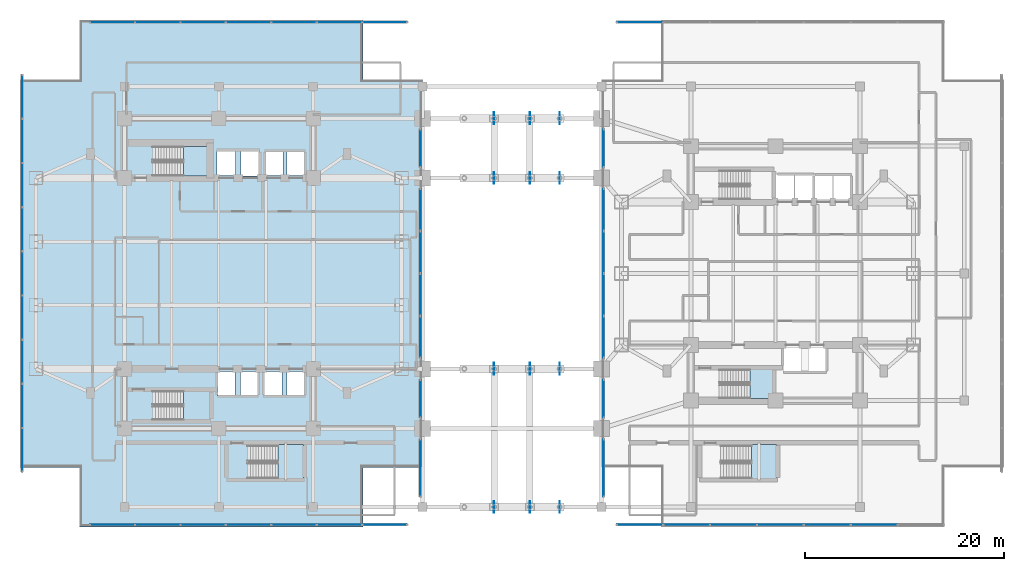
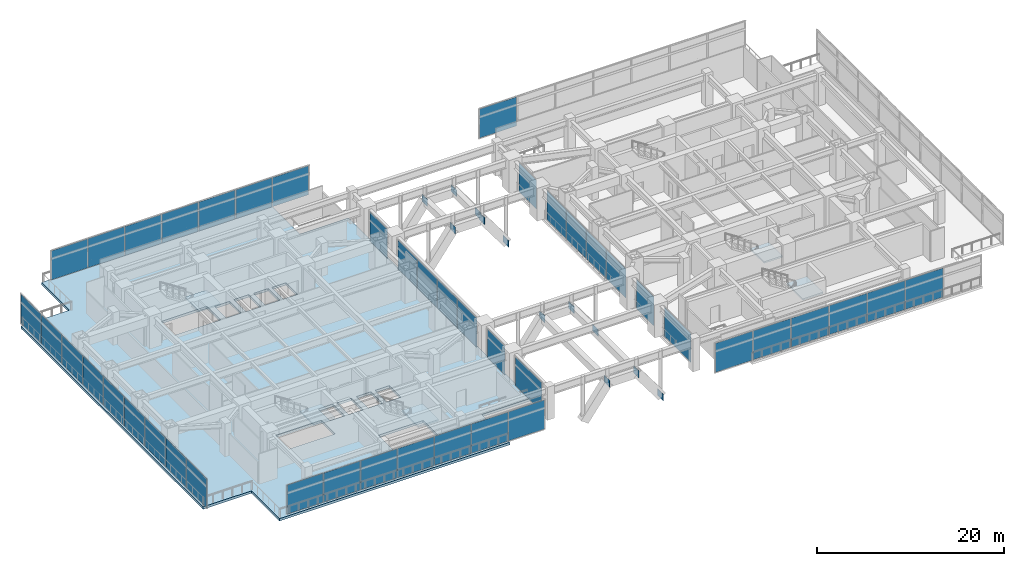
# One storey, part 13 of 30: 56 plates, 6 slabs, 18 elements without a shape of their own.
"""IFC4 building model written with IfcOpenShell, lengths in metres."""

from ifc_helpers import new_model, si_unit, direction, frame, origin, origin_2d, place, context, subcontext, project, spatial, polyline, rectangle, outline, extrude, material, layer, layer_set, type_object, element, aggregate, save


model = new_model("IFC4")

# Units and contexts
model_context = context("Model", 3, precision=1e-05, world=origin(), true_north=direction((0.0, 1.0)))
body_context = subcontext(model_context, "Body", "Model", "MODEL_VIEW")
ifc_project = project(units=[si_unit("LENGTHUNIT", "METRE"), si_unit("AREAUNIT", "SQUARE_METRE"), si_unit("VOLUMEUNIT", "CUBIC_METRE"), si_unit("PLANEANGLEUNIT", "RADIAN"), si_unit("MASSUNIT", "GRAM", prefix="KILO")], contexts=[model_context])

# Site, building, storey
site_placement = place(None, origin())
site = spatial("IfcSite", under=ifc_project, at=site_placement, CompositionType="ELEMENT")
building_placement = place(site_placement, origin())
building = spatial("IfcBuilding", under=site, at=building_placement, Name="Mirazonda Arch Towers", CompositionType="ELEMENT")
storey_placement = place(building_placement, frame((0.0, 0.0, 9.5)))
storey = spatial("IfcBuildingStorey", under=building, at=storey_placement, Name="L02", CompositionType="ELEMENT", Elevation=9.5)

# Curtain wall, plate
ifc_material_1 = material(Name="Anodised Aluminium and Low-E Glass", Category="aluminium")
curtain_wall_type_1 = type_object("IfcCurtainWallType", Name="CW-ARCH-GLAZE", PredefinedType="NOTDEFINED", material=ifc_material_1)
curtain_wall_1_placement = place(storey_placement, origin())
curtain_wall_1 = element("IfcCurtainWall", 1, at=curtain_wall_1_placement, inside=storey, type_object=curtain_wall_type_1, Name="L02 Curtain Wall CW-L02-AW-S1", PredefinedType="NOTDEFINED")
ifc_material_2 = material(Name="Insulated Low-E Solar Glass", Category="glass")
ifc_layer_1 = layer(ifc_material_2, 0.031982421875, Name="PAN-CW-ARCH-GLAZE")
ifc_layer_set_1 = layer_set([ifc_layer_1], Name="Insulated Low-E Solar Glass")
plate_type_1 = type_object("IfcPlateType", Name="PAN-CW-ARCH-GLAZE", PredefinedType="CURTAIN_PANEL", material=ifc_layer_set_1)
plate_1_placement = place(storey_placement, frame((40.780029296875, 40.60009765625, 0.08984375), z_axis=(0.0, 0.0, 1.0), x_axis=(0.0, -1.0, 0.0)))
plate_1 = element("IfcPlate", 2, at=plate_1_placement, type_object=plate_type_1, Name="CW-106 panel 1.1", PredefinedType="CURTAIN_PANEL", context=body_context, shape_type="SweptSolid", body=[
    extrude(rectangle(XDim=3.739990234375, YDim=0.031982421875, at=origin_2d()), origin(), (0.0, 0.0, 1.0), 3.780029296875),
])
aggregate(curtain_wall_1, [plate_1])

# Curtain wall, plates
curtain_wall_2_placement = place(storey_placement, origin())
curtain_wall_2 = element("IfcCurtainWall", 3, at=curtain_wall_2_placement, inside=storey, type_object=curtain_wall_type_1, Name="L02 Curtain Wall CW-L02-AW-S2", PredefinedType="NOTDEFINED")
plate_2_placement = place(storey_placement, frame((40.780029296875, 34.3974609375, 0.08984375), z_axis=(0.0, 0.0, 1.0), x_axis=(0.0, -1.0, 0.0)))
plate_2 = element("IfcPlate", 4, at=plate_2_placement, type_object=plate_type_1, Name="CW-106 panel 1.1", PredefinedType="CURTAIN_PANEL", context=body_context, shape_type="SweptSolid", body=[
    extrude(rectangle(XDim=4.14501953125, YDim=0.031982421875, at=origin_2d()), origin(), (0.0, 0.0, 1.0), 3.780029296875),
])
plate_3_placement = place(storey_placement, frame((40.780029296875, 30.139892578125, 0.08984375), z_axis=(0.0, 0.0, 1.0), x_axis=(0.0, -1.0, 0.0)))
plate_3 = element("IfcPlate", 5, at=plate_3_placement, type_object=plate_type_1, Name="CW-106 panel 2.1", PredefinedType="CURTAIN_PANEL", context=body_context, shape_type="SweptSolid", body=[
    extrude(rectangle(XDim=4.18994140625, YDim=0.031982421875, at=origin_2d()), origin(), (0.0, 0.0, 1.0), 3.780029296875),
])
plate_4_placement = place(storey_placement, frame((40.780029296875, 25.860107421875, 0.08984375), z_axis=(0.0, 0.0, 1.0), x_axis=(0.0, -1.0, 0.0)))
plate_4 = element("IfcPlate", 6, at=plate_4_placement, type_object=plate_type_1, Name="CW-106 panel 3.1", PredefinedType="CURTAIN_PANEL", context=body_context, shape_type="SweptSolid", body=[
    extrude(rectangle(XDim=4.18994140625, YDim=0.031982421875, at=origin_2d()), origin(), (0.0, 0.0, 1.0), 3.780029296875),
])
plate_5_placement = place(storey_placement, frame((40.780029296875, 21.6025390625, 0.08984375), z_axis=(0.0, 0.0, 1.0), x_axis=(0.0, -1.0, 0.0)))
plate_5 = element("IfcPlate", 7, at=plate_5_placement, type_object=plate_type_1, Name="CW-106 panel 4.1", PredefinedType="CURTAIN_PANEL", context=body_context, shape_type="SweptSolid", body=[
    extrude(rectangle(XDim=4.14501953125, YDim=0.031982421875, at=origin_2d()), origin(), (0.0, 0.0, 1.0), 3.780029296875),
])
aggregate(curtain_wall_2, [plate_2, plate_3, plate_4, plate_5])

# Curtain wall, plate
curtain_wall_3_placement = place(storey_placement, origin())
curtain_wall_3 = element("IfcCurtainWall", 8, at=curtain_wall_3_placement, inside=storey, type_object=curtain_wall_type_1, Name="L02 Curtain Wall CW-L02-AW-S3", PredefinedType="NOTDEFINED")
plate_6_placement = place(storey_placement, frame((40.780029296875, 15.39990234375, 0.08984375), z_axis=(0.0, 0.0, 1.0), x_axis=(0.0, -1.0, 0.0)))
plate_6 = element("IfcPlate", 9, at=plate_6_placement, type_object=plate_type_1, Name="CW-106 panel 1.1", PredefinedType="CURTAIN_PANEL", context=body_context, shape_type="SweptSolid", body=[
    extrude(rectangle(XDim=3.739990234375, YDim=0.031982421875, at=origin_2d()), origin(), (0.0, 0.0, 1.0), 3.780029296875),
])
aggregate(curtain_wall_3, [plate_6])

curtain_wall_4_placement = place(storey_placement, origin())
curtain_wall_4 = element("IfcCurtainWall", 10, at=curtain_wall_4_placement, inside=storey, type_object=curtain_wall_type_1, Name="L02 Curtain Wall CW-L02-AW-S4", PredefinedType="NOTDEFINED")
plate_7_placement = place(storey_placement, frame((40.780029296875, 8.429931640625, 0.08984375), z_axis=(0.0, 0.0, 1.0), x_axis=(0.0, -1.0, 0.0)))
plate_7 = element("IfcPlate", 11, at=plate_7_placement, type_object=plate_type_1, Name="CW-106 panel 1.1", PredefinedType="CURTAIN_PANEL", context=body_context, shape_type="SweptSolid", body=[
    extrude(rectangle(XDim=5.679931640625, YDim=0.031982421875, at=origin_2d()), origin(), (0.0, 0.0, 1.0), 3.780029296875),
])
aggregate(curtain_wall_4, [plate_7])

curtain_wall_5_placement = place(storey_placement, origin())
curtain_wall_5 = element("IfcCurtainWall", 12, at=curtain_wall_5_placement, inside=storey, type_object=curtain_wall_type_1, Name="L02 Curtain Wall CW-L02-AE-S1", PredefinedType="NOTDEFINED")
plate_8_placement = place(storey_placement, frame((59.219970703125, 8.429931640625, 0.08984375), z_axis=(0.0, 0.0, 1.0), x_axis=(0.0, 1.0, 0.0)))
plate_8 = element("IfcPlate", 13, at=plate_8_placement, type_object=plate_type_1, Name="CW-106 panel 1.1", PredefinedType="CURTAIN_PANEL", context=body_context, shape_type="SweptSolid", body=[
    extrude(rectangle(XDim=5.679931640625, YDim=0.031982421875, at=origin_2d()), origin(), (0.0, 0.0, 1.0), 3.780029296875),
])
aggregate(curtain_wall_5, [plate_8])

curtain_wall_6_placement = place(storey_placement, origin())
curtain_wall_6 = element("IfcCurtainWall", 14, at=curtain_wall_6_placement, inside=storey, type_object=curtain_wall_type_1, Name="L02 Curtain Wall CW-L02-AE-S2", PredefinedType="NOTDEFINED")
plate_9_placement = place(storey_placement, frame((59.219970703125, 15.39990234375, 0.08984375), z_axis=(0.0, 0.0, 1.0), x_axis=(0.0, 1.0, 0.0)))
plate_9 = element("IfcPlate", 15, at=plate_9_placement, type_object=plate_type_1, Name="CW-106 panel 1.1", PredefinedType="CURTAIN_PANEL", context=body_context, shape_type="SweptSolid", body=[
    extrude(rectangle(XDim=3.739990234375, YDim=0.031982421875, at=origin_2d()), origin(), (0.0, 0.0, 1.0), 3.780029296875),
])
aggregate(curtain_wall_6, [plate_9])

# Curtain wall, plates
curtain_wall_7_placement = place(storey_placement, origin())
curtain_wall_7 = element("IfcCurtainWall", 16, at=curtain_wall_7_placement, inside=storey, type_object=curtain_wall_type_1, Name="L02 Curtain Wall CW-L02-AE-S3", PredefinedType="NOTDEFINED")
plate_10_placement = place(storey_placement, frame((59.219970703125, 21.6025390625, 0.08984375), z_axis=(0.0, 0.0, 1.0), x_axis=(0.0, 1.0, 0.0)))
plate_10 = element("IfcPlate", 17, at=plate_10_placement, type_object=plate_type_1, Name="CW-106 panel 1.1", PredefinedType="CURTAIN_PANEL", context=body_context, shape_type="SweptSolid", body=[
    extrude(rectangle(XDim=4.14501953125, YDim=0.031982421875, at=origin_2d()), origin(), (0.0, 0.0, 1.0), 3.780029296875),
])
plate_11_placement = place(storey_placement, frame((59.219970703125, 25.860107421875, 0.08984375), z_axis=(0.0, 0.0, 1.0), x_axis=(0.0, 1.0, 0.0)))
plate_11 = element("IfcPlate", 18, at=plate_11_placement, type_object=plate_type_1, Name="CW-106 panel 2.1", PredefinedType="CURTAIN_PANEL", context=body_context, shape_type="SweptSolid", body=[
    extrude(rectangle(XDim=4.18994140625, YDim=0.031982421875, at=origin_2d()), origin(), (0.0, 0.0, 1.0), 3.780029296875),
])
plate_12_placement = place(storey_placement, frame((59.219970703125, 30.139892578125, 0.08984375), z_axis=(0.0, 0.0, 1.0), x_axis=(0.0, 1.0, 0.0)))
plate_12 = element("IfcPlate", 19, at=plate_12_placement, type_object=plate_type_1, Name="CW-106 panel 3.1", PredefinedType="CURTAIN_PANEL", context=body_context, shape_type="SweptSolid", body=[
    extrude(rectangle(XDim=4.18994140625, YDim=0.031982421875, at=origin_2d()), origin(), (0.0, 0.0, 1.0), 3.780029296875),
])
plate_13_placement = place(storey_placement, frame((59.219970703125, 34.3974609375, 0.08984375), z_axis=(0.0, 0.0, 1.0), x_axis=(0.0, 1.0, 0.0)))
plate_13 = element("IfcPlate", 20, at=plate_13_placement, type_object=plate_type_1, Name="CW-106 panel 4.1", PredefinedType="CURTAIN_PANEL", context=body_context, shape_type="SweptSolid", body=[
    extrude(rectangle(XDim=4.14501953125, YDim=0.031982421875, at=origin_2d()), origin(), (0.0, 0.0, 1.0), 3.780029296875),
])
aggregate(curtain_wall_7, [plate_10, plate_11, plate_12, plate_13])

# Curtain wall, plate
curtain_wall_8_placement = place(storey_placement, origin())
curtain_wall_8 = element("IfcCurtainWall", 21, at=curtain_wall_8_placement, inside=storey, type_object=curtain_wall_type_1, Name="L02 Curtain Wall CW-L02-AE-S4", PredefinedType="NOTDEFINED")
plate_14_placement = place(storey_placement, frame((59.219970703125, 40.60009765625, 0.08984375), z_axis=(0.0, 0.0, 1.0), x_axis=(0.0, 1.0, 0.0)))
plate_14 = element("IfcPlate", 22, at=plate_14_placement, type_object=plate_type_1, Name="CW-106 panel 1.1", PredefinedType="CURTAIN_PANEL", context=body_context, shape_type="SweptSolid", body=[
    extrude(rectangle(XDim=3.739990234375, YDim=0.031982421875, at=origin_2d()), origin(), (0.0, 0.0, 1.0), 3.780029296875),
])
aggregate(curtain_wall_8, [plate_14])

# Curtain wall, plates
curtain_wall_type_2 = type_object("IfcCurtainWallType", Name="CW-POD-STORE", PredefinedType="NOTDEFINED", material=ifc_material_1)
curtain_wall_9_placement = place(storey_placement, origin())
curtain_wall_9 = element("IfcCurtainWall", 23, at=curtain_wall_9_placement, inside=storey, type_object=curtain_wall_type_2, Name="L02 Curtain Wall CW-L02-WS", PredefinedType="NOTDEFINED")
ifc_layer_2 = layer(ifc_material_2, 0.028076171875, Name="PAN-CW-POD-STORE")
ifc_layer_set_2 = layer_set([ifc_layer_2], Name="Insulated Low-E Solar Glass")
plate_type_2 = type_object("IfcPlateType", Name="PAN-CW-POD-STORE", PredefinedType="CURTAIN_PANEL", material=ifc_layer_set_2)
plate_15_placement = place(storey_placement, frame((37.1943359375, 2.719970703125, 0.080078125), z_axis=(0.0, 0.0, 1.0), x_axis=(-1.0, 0.0, 0.0)))
plate_15 = element("IfcPlate", 24, at=plate_15_placement, type_object=plate_type_2, Name="CW-102 panel 1.1", PredefinedType="CURTAIN_PANEL", context=body_context, shape_type="SweptSolid", body=[
    extrude(rectangle(XDim=4.451416015625, YDim=0.028076171875, at=origin_2d()), origin(), (0.0, 0.0, 1.0), 3.800048828125),
])
plate_16_placement = place(storey_placement, frame((32.642822265625, 2.719970703125, 0.080078125), z_axis=(0.0, 0.0, 1.0), x_axis=(-1.0, 0.0, 0.0)))
plate_16 = element("IfcPlate", 25, at=plate_16_placement, type_object=plate_type_2, Name="CW-102 panel 2.1", PredefinedType="CURTAIN_PANEL", context=body_context, shape_type="SweptSolid", body=[
    extrude(rectangle(XDim=4.491455078125, YDim=0.028076171875, at=origin_2d()), origin(), (0.0, 0.0, 1.0), 3.800048828125),
])
plate_17_placement = place(storey_placement, frame((28.071533203125, 2.719970703125, 0.080078125), z_axis=(0.0, 0.0, 1.0), x_axis=(-1.0, 0.0, 0.0)))
plate_17 = element("IfcPlate", 26, at=plate_17_placement, type_object=plate_type_2, Name="CW-102 panel 3.1", PredefinedType="CURTAIN_PANEL", context=body_context, shape_type="SweptSolid", body=[
    extrude(rectangle(XDim=4.491455078125, YDim=0.028076171875, at=origin_2d()), origin(), (0.0, 0.0, 1.0), 3.800048828125),
])
plate_18_placement = place(storey_placement, frame((23.5, 2.719970703125, 0.080078125), z_axis=(0.0, 0.0, 1.0), x_axis=(-1.0, 0.0, 0.0)))
plate_18 = element("IfcPlate", 27, at=plate_18_placement, type_object=plate_type_2, Name="CW-102 panel 4.1", PredefinedType="CURTAIN_PANEL", context=body_context, shape_type="SweptSolid", body=[
    extrude(rectangle(XDim=4.491455078125, YDim=0.028076171875, at=origin_2d()), origin(), (0.0, 0.0, 1.0), 3.800048828125),
])
plate_19_placement = place(storey_placement, frame((18.928466796875, 2.719970703125, 0.080078125), z_axis=(0.0, 0.0, 1.0), x_axis=(-1.0, 0.0, 0.0)))
plate_19 = element("IfcPlate", 28, at=plate_19_placement, type_object=plate_type_2, Name="CW-102 panel 5.1", PredefinedType="CURTAIN_PANEL", context=body_context, shape_type="SweptSolid", body=[
    extrude(rectangle(XDim=4.491455078125, YDim=0.028076171875, at=origin_2d()), origin(), (0.0, 0.0, 1.0), 3.800048828125),
])
plate_20_placement = place(storey_placement, frame((14.357177734375, 2.719970703125, 0.080078125), z_axis=(0.0, 0.0, 1.0), x_axis=(-1.0, 0.0, 0.0)))
plate_20 = element("IfcPlate", 29, at=plate_20_placement, type_object=plate_type_2, Name="CW-102 panel 6.1", PredefinedType="CURTAIN_PANEL", context=body_context, shape_type="SweptSolid", body=[
    extrude(rectangle(XDim=4.491455078125, YDim=0.028076171875, at=origin_2d()), origin(), (0.0, 0.0, 1.0), 3.800048828125),
])
plate_21_placement = place(storey_placement, frame((9.8056640625, 2.719970703125, 0.080078125), z_axis=(0.0, 0.0, 1.0), x_axis=(-1.0, 0.0, 0.0)))
plate_21 = element("IfcPlate", 30, at=plate_21_placement, type_object=plate_type_2, Name="CW-102 panel 7.1", PredefinedType="CURTAIN_PANEL", context=body_context, shape_type="SweptSolid", body=[
    extrude(rectangle(XDim=4.451416015625, YDim=0.028076171875, at=origin_2d()), origin(), (0.0, 0.0, 1.0), 3.800048828125),
])
aggregate(curtain_wall_9, [plate_15, plate_16, plate_17, plate_18, plate_19, plate_20, plate_21])

curtain_wall_10_placement = place(storey_placement, origin())
curtain_wall_10 = element("IfcCurtainWall", 31, at=curtain_wall_10_placement, inside=storey, type_object=curtain_wall_type_2, Name="L02 Curtain Wall CW-L02-ES", PredefinedType="NOTDEFINED")
plate_22_placement = place(storey_placement, frame((86.428466796875, 2.719970703125, 0.080078125), z_axis=(0.0, 0.0, 1.0), x_axis=(-1.0, 0.0, 0.0)))
plate_22 = element("IfcPlate", 32, at=plate_22_placement, type_object=plate_type_2, Name="CW-102 panel 2.1", PredefinedType="CURTAIN_PANEL", context=body_context, shape_type="SweptSolid", body=[
    extrude(rectangle(XDim=4.63427734375, YDim=0.028076171875, at=origin_2d()), origin(), (0.0, 0.0, 1.0), 3.800048828125),
])
plate_23_placement = place(storey_placement, frame((81.71435546875, 2.719970703125, 0.080078125), z_axis=(0.0, 0.0, 1.0), x_axis=(-1.0, 0.0, 0.0)))
plate_23 = element("IfcPlate", 33, at=plate_23_placement, type_object=plate_type_2, Name="CW-102 panel 3.1", PredefinedType="CURTAIN_PANEL", context=body_context, shape_type="SweptSolid", body=[
    extrude(rectangle(XDim=4.63427734375, YDim=0.028076171875, at=origin_2d()), origin(), (0.0, 0.0, 1.0), 3.800048828125),
])
plate_24_placement = place(storey_placement, frame((77.0, 2.719970703125, 0.080078125), z_axis=(0.0, 0.0, 1.0), x_axis=(-1.0, 0.0, 0.0)))
plate_24 = element("IfcPlate", 34, at=plate_24_placement, type_object=plate_type_2, Name="CW-102 panel 4.1", PredefinedType="CURTAIN_PANEL", context=body_context, shape_type="SweptSolid", body=[
    extrude(rectangle(XDim=4.63427734375, YDim=0.028076171875, at=origin_2d()), origin(), (0.0, 0.0, 1.0), 3.800048828125),
])
plate_25_placement = place(storey_placement, frame((72.28564453125, 2.719970703125, 0.080078125), z_axis=(0.0, 0.0, 1.0), x_axis=(-1.0, 0.0, 0.0)))
plate_25 = element("IfcPlate", 35, at=plate_25_placement, type_object=plate_type_2, Name="CW-102 panel 5.1", PredefinedType="CURTAIN_PANEL", context=body_context, shape_type="SweptSolid", body=[
    extrude(rectangle(XDim=4.63427734375, YDim=0.028076171875, at=origin_2d()), origin(), (0.0, 0.0, 1.0), 3.800048828125),
])
plate_26_placement = place(storey_placement, frame((67.571533203125, 2.719970703125, 0.080078125), z_axis=(0.0, 0.0, 1.0), x_axis=(-1.0, 0.0, 0.0)))
plate_26 = element("IfcPlate", 36, at=plate_26_placement, type_object=plate_type_2, Name="CW-102 panel 6.1", PredefinedType="CURTAIN_PANEL", context=body_context, shape_type="SweptSolid", body=[
    extrude(rectangle(XDim=4.63427734375, YDim=0.028076171875, at=origin_2d()), origin(), (0.0, 0.0, 1.0), 3.800048828125),
])
plate_27_placement = place(storey_placement, frame((62.877197265625, 2.719970703125, 0.080078125), z_axis=(0.0, 0.0, 1.0), x_axis=(-1.0, 0.0, 0.0)))
plate_27 = element("IfcPlate", 37, at=plate_27_placement, type_object=plate_type_2, Name="CW-102 panel 7.1", PredefinedType="CURTAIN_PANEL", context=body_context, shape_type="SweptSolid", body=[
    extrude(rectangle(XDim=4.59423828125, YDim=0.028076171875, at=origin_2d()), origin(), (0.0, 0.0, 1.0), 3.800048828125),
])
aggregate(curtain_wall_10, [plate_22, plate_23, plate_24, plate_25, plate_26, plate_27])

curtain_wall_11_placement = place(storey_placement, origin())
curtain_wall_11 = element("IfcCurtainWall", 38, at=curtain_wall_11_placement, inside=storey, type_object=curtain_wall_type_2, Name="L02 Curtain Wall CW-L02-WN", PredefinedType="NOTDEFINED")
plate_28_placement = place(storey_placement, frame((9.8056640625, 53.280029296875, 0.080078125), z_axis=(0.0, 0.0, 1.0), x_axis=(1.0, 0.0, 0.0)))
plate_28 = element("IfcPlate", 39, at=plate_28_placement, type_object=plate_type_2, Name="CW-102 panel 1.1", PredefinedType="CURTAIN_PANEL", context=body_context, shape_type="SweptSolid", body=[
    extrude(rectangle(XDim=4.451416015625, YDim=0.028076171875, at=origin_2d()), origin(), (0.0, 0.0, 1.0), 3.800048828125),
])
plate_29_placement = place(storey_placement, frame((14.357177734375, 53.280029296875, 0.080078125), z_axis=(0.0, 0.0, 1.0), x_axis=(1.0, 0.0, 0.0)))
plate_29 = element("IfcPlate", 40, at=plate_29_placement, type_object=plate_type_2, Name="CW-102 panel 2.1", PredefinedType="CURTAIN_PANEL", context=body_context, shape_type="SweptSolid", body=[
    extrude(rectangle(XDim=4.491455078125, YDim=0.028076171875, at=origin_2d()), origin(), (0.0, 0.0, 1.0), 3.800048828125),
])
plate_30_placement = place(storey_placement, frame((18.928466796875, 53.280029296875, 0.080078125), z_axis=(0.0, 0.0, 1.0), x_axis=(1.0, 0.0, 0.0)))
plate_30 = element("IfcPlate", 41, at=plate_30_placement, type_object=plate_type_2, Name="CW-102 panel 3.1", PredefinedType="CURTAIN_PANEL", context=body_context, shape_type="SweptSolid", body=[
    extrude(rectangle(XDim=4.491455078125, YDim=0.028076171875, at=origin_2d()), origin(), (0.0, 0.0, 1.0), 3.800048828125),
])
plate_31_placement = place(storey_placement, frame((23.5, 53.280029296875, 0.080078125), z_axis=(0.0, 0.0, 1.0), x_axis=(1.0, 0.0, 0.0)))
plate_31 = element("IfcPlate", 42, at=plate_31_placement, type_object=plate_type_2, Name="CW-102 panel 4.1", PredefinedType="CURTAIN_PANEL", context=body_context, shape_type="SweptSolid", body=[
    extrude(rectangle(XDim=4.491455078125, YDim=0.028076171875, at=origin_2d()), origin(), (0.0, 0.0, 1.0), 3.800048828125),
])
plate_32_placement = place(storey_placement, frame((28.071533203125, 53.280029296875, 0.080078125), z_axis=(0.0, 0.0, 1.0), x_axis=(1.0, 0.0, 0.0)))
plate_32 = element("IfcPlate", 43, at=plate_32_placement, type_object=plate_type_2, Name="CW-102 panel 5.1", PredefinedType="CURTAIN_PANEL", context=body_context, shape_type="SweptSolid", body=[
    extrude(rectangle(XDim=4.491455078125, YDim=0.028076171875, at=origin_2d()), origin(), (0.0, 0.0, 1.0), 3.800048828125),
])
plate_33_placement = place(storey_placement, frame((32.642822265625, 53.280029296875, 0.080078125), z_axis=(0.0, 0.0, 1.0), x_axis=(1.0, 0.0, 0.0)))
plate_33 = element("IfcPlate", 44, at=plate_33_placement, type_object=plate_type_2, Name="CW-102 panel 6.1", PredefinedType="CURTAIN_PANEL", context=body_context, shape_type="SweptSolid", body=[
    extrude(rectangle(XDim=4.491455078125, YDim=0.028076171875, at=origin_2d()), origin(), (0.0, 0.0, 1.0), 3.800048828125),
])
plate_34_placement = place(storey_placement, frame((37.1943359375, 53.280029296875, 0.080078125), z_axis=(0.0, 0.0, 1.0), x_axis=(1.0, 0.0, 0.0)))
plate_34 = element("IfcPlate", 45, at=plate_34_placement, type_object=plate_type_2, Name="CW-102 panel 7.1", PredefinedType="CURTAIN_PANEL", context=body_context, shape_type="SweptSolid", body=[
    extrude(rectangle(XDim=4.451416015625, YDim=0.028076171875, at=origin_2d()), origin(), (0.0, 0.0, 1.0), 3.800048828125),
])
aggregate(curtain_wall_11, [plate_28, plate_29, plate_30, plate_31, plate_32, plate_33, plate_34])

# Curtain wall, plate
curtain_wall_12_placement = place(storey_placement, origin())
curtain_wall_12 = element("IfcCurtainWall", 46, at=curtain_wall_12_placement, inside=storey, type_object=curtain_wall_type_2, Name="L02 Curtain Wall CW-L02-EN", PredefinedType="NOTDEFINED")
plate_35_placement = place(storey_placement, frame((62.877197265625, 53.280029296875, 0.080078125), z_axis=(0.0, 0.0, 1.0), x_axis=(1.0, 0.0, 0.0)))
plate_35 = element("IfcPlate", 47, at=plate_35_placement, type_object=plate_type_2, Name="CW-102 panel 1.1", PredefinedType="CURTAIN_PANEL", context=body_context, shape_type="SweptSolid", body=[
    extrude(rectangle(XDim=4.59423828125, YDim=0.028076171875, at=origin_2d()), origin(), (0.0, 0.0, 1.0), 3.800048828125),
])
aggregate(curtain_wall_12, [plate_35])

# Curtain wall, plates
curtain_wall_13_placement = place(storey_placement, origin())
curtain_wall_13 = element("IfcCurtainWall", 48, at=curtain_wall_13_placement, inside=storey, type_object=curtain_wall_type_2, Name="L02 Curtain Wall CW-L02-WW", PredefinedType="NOTDEFINED")
plate_36_placement = place(storey_placement, frame((0.719970703125, 45.7578125, 0.080078125), z_axis=(0.0, 0.0, 1.0), x_axis=(0.0, -1.0, 0.0)))
plate_36 = element("IfcPlate", 49, at=plate_36_placement, type_object=plate_type_2, Name="CW-102 panel 1.1", PredefinedType="CURTAIN_PANEL", context=body_context, shape_type="SweptSolid", body=[
    extrude(rectangle(XDim=4.324462890625, YDim=0.028076171875, at=origin_2d()), origin(), (0.0, 0.0, 1.0), 3.800048828125),
])
plate_37_placement = place(storey_placement, frame((0.719970703125, 41.333251953125, 0.080078125), z_axis=(0.0, 0.0, 1.0), x_axis=(0.0, -1.0, 0.0)))
plate_37 = element("IfcPlate", 50, at=plate_37_placement, type_object=plate_type_2, Name="CW-102 panel 2.1", PredefinedType="CURTAIN_PANEL", context=body_context, shape_type="SweptSolid", body=[
    extrude(rectangle(XDim=4.364501953125, YDim=0.028076171875, at=origin_2d()), origin(), (0.0, 0.0, 1.0), 3.800048828125),
])
plate_38_placement = place(storey_placement, frame((0.719970703125, 36.888916015625, 0.080078125), z_axis=(0.0, 0.0, 1.0), x_axis=(0.0, -1.0, 0.0)))
plate_38 = element("IfcPlate", 51, at=plate_38_placement, type_object=plate_type_2, Name="CW-102 panel 3.1", PredefinedType="CURTAIN_PANEL", context=body_context, shape_type="SweptSolid", body=[
    extrude(rectangle(XDim=4.364501953125, YDim=0.028076171875, at=origin_2d()), origin(), (0.0, 0.0, 1.0), 3.800048828125),
])
plate_39_placement = place(storey_placement, frame((0.719970703125, 32.4443359375, 0.080078125), z_axis=(0.0, 0.0, 1.0), x_axis=(0.0, -1.0, 0.0)))
plate_39 = element("IfcPlate", 52, at=plate_39_placement, type_object=plate_type_2, Name="CW-102 panel 4.1", PredefinedType="CURTAIN_PANEL", context=body_context, shape_type="SweptSolid", body=[
    extrude(rectangle(XDim=4.364501953125, YDim=0.028076171875, at=origin_2d()), origin(), (0.0, 0.0, 1.0), 3.800048828125),
])
plate_40_placement = place(storey_placement, frame((0.719970703125, 28.0, 0.080078125), z_axis=(0.0, 0.0, 1.0), x_axis=(0.0, -1.0, 0.0)))
plate_40 = element("IfcPlate", 53, at=plate_40_placement, type_object=plate_type_2, Name="CW-102 panel 5.1", PredefinedType="CURTAIN_PANEL", context=body_context, shape_type="SweptSolid", body=[
    extrude(rectangle(XDim=4.364501953125, YDim=0.028076171875, at=origin_2d()), origin(), (0.0, 0.0, 1.0), 3.800048828125),
])
plate_41_placement = place(storey_placement, frame((0.719970703125, 23.5556640625, 0.080078125), z_axis=(0.0, 0.0, 1.0), x_axis=(0.0, -1.0, 0.0)))
plate_41 = element("IfcPlate", 54, at=plate_41_placement, type_object=plate_type_2, Name="CW-102 panel 6.1", PredefinedType="CURTAIN_PANEL", context=body_context, shape_type="SweptSolid", body=[
    extrude(rectangle(XDim=4.364501953125, YDim=0.028076171875, at=origin_2d()), origin(), (0.0, 0.0, 1.0), 3.800048828125),
])
plate_42_placement = place(storey_placement, frame((0.719970703125, 19.111083984375, 0.080078125), z_axis=(0.0, 0.0, 1.0), x_axis=(0.0, -1.0, 0.0)))
plate_42 = element("IfcPlate", 55, at=plate_42_placement, type_object=plate_type_2, Name="CW-102 panel 7.1", PredefinedType="CURTAIN_PANEL", context=body_context, shape_type="SweptSolid", body=[
    extrude(rectangle(XDim=4.364501953125, YDim=0.028076171875, at=origin_2d()), origin(), (0.0, 0.0, 1.0), 3.800048828125),
])
plate_43_placement = place(storey_placement, frame((0.719970703125, 14.666748046875, 0.080078125), z_axis=(0.0, 0.0, 1.0), x_axis=(0.0, -1.0, 0.0)))
plate_43 = element("IfcPlate", 56, at=plate_43_placement, type_object=plate_type_2, Name="CW-102 panel 8.1", PredefinedType="CURTAIN_PANEL", context=body_context, shape_type="SweptSolid", body=[
    extrude(rectangle(XDim=4.364501953125, YDim=0.028076171875, at=origin_2d()), origin(), (0.0, 0.0, 1.0), 3.800048828125),
])
plate_44_placement = place(storey_placement, frame((0.719970703125, 10.2421875, 0.080078125), z_axis=(0.0, 0.0, 1.0), x_axis=(0.0, -1.0, 0.0)))
plate_44 = element("IfcPlate", 57, at=plate_44_placement, type_object=plate_type_2, Name="CW-102 panel 9.1", PredefinedType="CURTAIN_PANEL", context=body_context, shape_type="SweptSolid", body=[
    extrude(rectangle(XDim=4.324462890625, YDim=0.028076171875, at=origin_2d()), origin(), (0.0, 0.0, 1.0), 3.800048828125),
])
aggregate(curtain_wall_13, [plate_36, plate_37, plate_38, plate_39, plate_40, plate_41, plate_42, plate_43, plate_44])

# Plates
ifc_material_3 = material(Name="Steel ASTM A572 Grade 50", Category="steel")
ifc_layer_3 = layer(ifc_material_3, 0.0400390625, Name="PLATE-GUSSET-1200x900x40")
ifc_layer_set_3 = layer_set([ifc_layer_3], Name="Steel ASTM A572 Grade 50")
plate_type_3 = type_object("IfcPlateType", Name="PLATE-GUSSET-1200x900x40", PredefinedType="USERDEFINED", material=ifc_layer_set_3)
for number, where, z_axis, x_axis, name in (
    (58, (48.204833984375, 4.5, 1.70654296875), (0.0, 0.0, 1.0), (1.0, 0.0, 0.0), "Steel end closure plate NP-ARCH-R1-K2"),
    (59, (51.80810546875, 4.5, 1.699951171875), (0.0, 0.0, 1.0), (1.0, 0.0, 0.0), "Steel end closure plate NP-ARCH-R1-K3"),
    (60, (54.8046875, 4.5, -2.3564453125), (0.0, 0.0, 1.0), (1.0, 0.0, 0.0), "Steel end closure plate NP-ARCH-R1-K4"),
    (61, (48.204833984375, 18.39990234375, 1.70654296875), (0.0, 0.0, 1.0), (1.0, 0.0, 0.0), "Steel end closure plate NP-ARCH-R2-K2"),
    (62, (51.80810546875, 18.39990234375, 1.699951171875), (0.0, 0.0, 1.0), (1.0, 0.0, 0.0), "Steel end closure plate NP-ARCH-R2-K3"),
    (63, (54.8046875, 18.39990234375, -2.3564453125), (0.0, 0.0, 1.0), (1.0, 0.0, 0.0), "Steel end closure plate NP-ARCH-R2-K4"),
    (64, (48.204833984375, 37.60009765625, 1.70654296875), (0.0, 0.0, 1.0), (1.0, 0.0, 0.0), "Steel end closure plate NP-ARCH-R3-K2"),
    (65, (51.80810546875, 37.60009765625, 1.699951171875), (0.0, 0.0, 1.0), (1.0, 0.0, 0.0), "Steel end closure plate NP-ARCH-R3-K3"),
    (66, (54.8046875, 37.60009765625, -2.3564453125), (0.0, 0.0, 1.0), (1.0, 0.0, 0.0), "Steel end closure plate NP-ARCH-R3-K4"),
    (67, (48.204833984375, 43.60009765625, 1.70654296875), (0.0, 0.0, 1.0), (1.0, 0.0, 0.0), "Steel end closure plate NP-ARCH-R4-K2"),
    (68, (51.80810546875, 43.60009765625, 1.699951171875), (0.0, 0.0, 1.0), (1.0, 0.0, 0.0), "Steel end closure plate NP-ARCH-R4-K3"),
    (69, (54.8046875, 43.60009765625, -2.3564453125), (0.0, 0.0, 1.0), (1.0, 0.0, 0.0), "Steel end closure plate NP-ARCH-R4-K4"),
):
    element("IfcPlate", number, at=place(storey_placement, frame(where, z_axis=z_axis, x_axis=x_axis)), inside=storey, type_object=plate_type_3, Name=name, ObjectType="GUSSET_PLATE", PredefinedType="USERDEFINED", context=body_context, shape_type="SweptSolid", body=[
        extrude(rectangle(XDim=0.0400390625, YDim=1.199951171875, at=origin_2d()), origin(), (0.0, 0.0, 1.0), 0.89990234375),
    ])

# Stair, slab
ifc_material_4 = material(Name="Concrete C40/50", Category="concrete")
stair_type_1 = type_object("IfcStairType", Name="STAIR-CORE-1400", PredefinedType="HALF_TURN_STAIR", material=ifc_material_4)
stair_1_placement = place(storey_placement, origin())
stair_1 = element("IfcStair", 70, at=stair_1_placement, inside=storey, type_object=stair_type_1, Name="L02 Protected Exit Stair ST-T1N", PredefinedType="HALF_TURN_STAIR")
ifc_layer_4 = layer(ifc_material_4, 0.18994140625, Name="SLAB-LANDING-190")
ifc_layer_set_4 = layer_set([ifc_layer_4], Name="Concrete C40/50")
slab_type_1 = type_object("IfcSlabType", Name="SLAB-LANDING-190", PredefinedType="LANDING", material=ifc_layer_set_4)
slab_1_placement = place(storey_placement, frame((0.0, 0.0, 1.949951171875)))
slab_1 = element("IfcSlab", 71, at=slab_1_placement, type_object=slab_type_1, Name="ST-T1N landing 1", PredefinedType="LANDING", context=body_context, shape_type="SweptSolid", body=[
    extrude(outline(polyline([(16.929931640625, 37.820068359375), (19.60009765625, 37.820068359375), (19.60009765625, 40.760009765625), (16.929931640625, 40.760009765625), (16.929931640625, 37.820068359375)])), origin(), (0.0, 0.0, 1.0), 0.199951171875),
])
aggregate(stair_1, [slab_1])

stair_2_placement = place(storey_placement, origin())
stair_2 = element("IfcStair", 72, at=stair_2_placement, inside=storey, type_object=stair_type_1, Name="L02 Protected Exit Stair ST-T1S", PredefinedType="HALF_TURN_STAIR")
slab_2_placement = place(storey_placement, frame((0.0, 0.0, 1.949951171875)))
slab_2 = element("IfcSlab", 73, at=slab_2_placement, type_object=slab_type_1, Name="ST-T1S landing 1", PredefinedType="LANDING", context=body_context, shape_type="SweptSolid", body=[
    extrude(outline(polyline([(16.929931640625, 13.25), (19.60009765625, 13.25), (19.60009765625, 16.18994140625), (16.929931640625, 16.18994140625), (16.929931640625, 13.25)])), origin(), (0.0, 0.0, 1.0), 0.199951171875),
])
aggregate(stair_2, [slab_2])

stair_3_placement = place(storey_placement, origin())
stair_3 = element("IfcStair", 74, at=stair_3_placement, inside=storey, type_object=stair_type_1, Name="L02 Protected Exit Stair ST-T2S", PredefinedType="HALF_TURN_STAIR")
slab_3_placement = place(storey_placement, frame((0.0, 0.0, 1.949951171875)))
slab_3 = element("IfcSlab", 75, at=slab_3_placement, type_object=slab_type_1, Name="ST-T2S landing 1", PredefinedType="LANDING", context=body_context, shape_type="SweptSolid", body=[
    extrude(outline(polyline([(73.929931640625, 15.419921875), (76.22998046875, 15.419921875), (76.22998046875, 18.360107421875), (73.929931640625, 18.360107421875), (73.929931640625, 15.419921875)])), origin(), (0.0, 0.0, 1.0), 0.199951171875),
])
aggregate(stair_3, [slab_3])

stair_type_2 = type_object("IfcStairType", Name="STAIR-POD-1600", PredefinedType="HALF_TURN_STAIR", material=ifc_material_4)
stair_4_placement = place(storey_placement, origin())
stair_4 = element("IfcStair", 76, at=stair_4_placement, inside=storey, type_object=stair_type_2, Name="L02 Protected Exit Stair ST-POD1", PredefinedType="HALF_TURN_STAIR")
slab_4_placement = place(storey_placement, frame((0.0, 0.0, 1.949951171875)))
slab_4 = element("IfcSlab", 77, at=slab_4_placement, type_object=slab_type_1, Name="ST-POD1 landing 1", PredefinedType="LANDING", context=body_context, shape_type="SweptSolid", body=[
    extrude(outline(polyline([(26.47998046875, 7.35009765625), (29.0, 7.35009765625), (29.0, 10.800048828125), (26.47998046875, 10.800048828125), (26.47998046875, 7.35009765625)])), origin(), (0.0, 0.0, 1.0), 0.199951171875),
])
aggregate(stair_4, [slab_4])

stair_5_placement = place(storey_placement, origin())
stair_5 = element("IfcStair", 78, at=stair_5_placement, inside=storey, type_object=stair_type_2, Name="L02 Protected Exit Stair ST-POD2", PredefinedType="HALF_TURN_STAIR")
slab_5_placement = place(storey_placement, frame((0.0, 0.0, 1.949951171875)))
slab_5 = element("IfcSlab", 79, at=slab_5_placement, type_object=slab_type_1, Name="ST-POD2 landing 1", PredefinedType="LANDING", context=body_context, shape_type="SweptSolid", body=[
    extrude(outline(polyline([(74.080078125, 7.35009765625), (76.60009765625, 7.35009765625), (76.60009765625, 10.800048828125), (74.080078125, 10.800048828125), (74.080078125, 7.35009765625)])), origin(), (0.0, 0.0, 1.0), 0.199951171875),
])
aggregate(stair_5, [slab_5])

# Slab
ifc_layer_5 = layer(ifc_material_4, 0.320068359375, Name="SLAB-POD-320")
ifc_layer_set_5 = layer_set([ifc_layer_5], Name="Concrete C40/50")
slab_type_2 = type_object("IfcSlabType", Name="SLAB-POD-320", PredefinedType="FLOOR", material=ifc_layer_set_5)
slab_6_placement = place(storey_placement, frame((0.0, 0.0, -0.320068359375)))
element("IfcSlab", 80, at=slab_6_placement, inside=storey, type_object=slab_type_2, Name="L02 West Podium Floor Slab", PredefinedType="FLOOR", context=body_context, shape_type="SweptSolid", body=[
    extrude(outline(polyline([(6.5, 2.5), (35.0, 2.5), (35.0, 8.5), (41.0, 8.5), (41.0, 47.5), (35.0, 47.5), (35.0, 53.5), (6.5, 53.5), (6.5, 47.5), (0.5, 47.5), (0.5, 8.5), (6.5, 8.5), (6.5, 2.5)]), holes=[polyline([(27.360107421875, 18.139892578125), (29.139892578125, 18.139892578125), (29.139892578125, 15.659912109375), (27.360107421875, 15.659912109375), (27.360107421875, 18.139892578125)]), polyline([(29.139892578125, 40.340087890625), (29.139892578125, 37.860107421875), (27.360107421875, 37.860107421875), (27.360107421875, 40.340087890625), (29.139892578125, 40.340087890625)]), polyline([(23.47509765625, 10.68994140625), (29.0, 10.68994140625), (29.0, 7.35009765625), (23.47509765625, 7.35009765625), (23.47509765625, 10.68994140625)]), polyline([(26.93994140625, 40.340087890625), (26.93994140625, 37.860107421875), (25.159912109375, 37.860107421875), (25.159912109375, 40.340087890625), (26.93994140625, 40.340087890625)]), polyline([(26.840087890625, 18.139892578125), (26.840087890625, 15.659912109375), (25.06005859375, 15.659912109375), (25.06005859375, 18.139892578125), (26.840087890625, 18.139892578125)]), polyline([(24.590087890625, 40.389892578125), (24.590087890625, 37.81005859375), (22.7099609375, 37.81005859375), (22.7099609375, 40.389892578125), (24.590087890625, 40.389892578125)]), polyline([(22.659912109375, 18.139892578125), (24.43994140625, 18.139892578125), (24.43994140625, 15.659912109375), (22.659912109375, 15.659912109375), (22.659912109375, 18.139892578125)]), polyline([(22.18994140625, 40.340087890625), (22.18994140625, 37.860107421875), (20.31005859375, 37.860107421875), (20.31005859375, 40.340087890625), (22.18994140625, 40.340087890625)]), polyline([(20.360107421875, 18.139892578125), (22.139892578125, 18.139892578125), (22.139892578125, 15.659912109375), (20.360107421875, 15.659912109375), (20.360107421875, 18.139892578125)]), polyline([(13.925048828125, 13.25), (13.925048828125, 16.18994140625), (19.60009765625, 16.18994140625), (19.60009765625, 13.25), (13.925048828125, 13.25)]), polyline([(13.925048828125, 37.820068359375), (13.925048828125, 40.760009765625), (19.60009765625, 40.760009765625), (19.60009765625, 37.820068359375), (13.925048828125, 37.820068359375)])]), origin(), (0.0, 0.0, 1.0), 0.320068359375),
])

save(model, "model.ifc")
